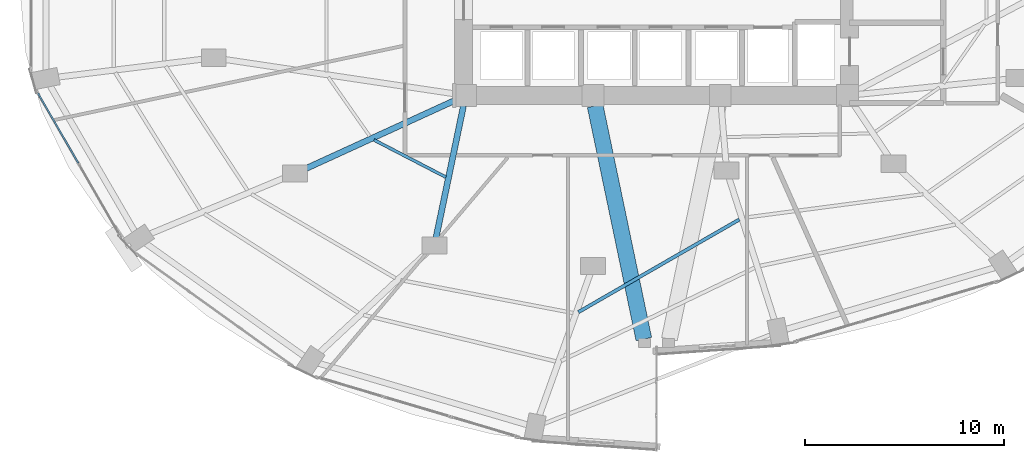
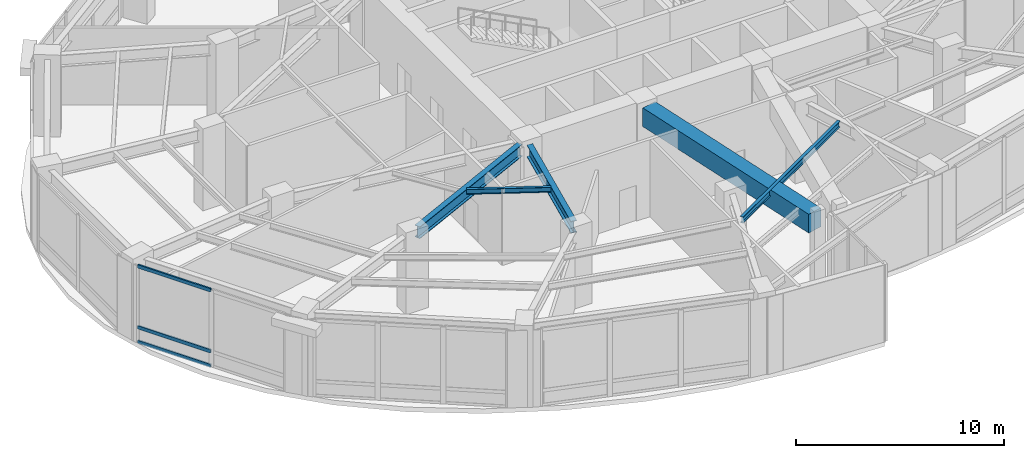
# One storey, part 5 of 24: 5 beams, 3 members, 1 element without a shape of its own.
"""IFC4 building model written with IfcOpenShell, lengths in metres."""

import ifcopenshell
import ifcopenshell.guid

model = None  # the IFC model being written
_history = None  # IfcOwnerHistory: only IFC2X3 demands one
_inside = {}  # id of a spatial element -> (the spatial element, [elements in it])
_under = {}  # id of a project, library or spatial element -> (it, [spatial elements below it])
_declared = {}  # id of a project -> (the project, [libraries it declares])
_typed = {}  # id of a type object -> (the type object, [elements of that type])
_made_of = {}  # id of a material, layer set ... -> (it, [elements and type objects made of it])


def new_model(schema):
    """Start an empty IFC model of exactly this schema.

    Asked for "IFC4X3", IfcOpenShell would pick the latest addendum, in which some entities
    have other attributes; the version numbers below select the first issue.
    IFC2X3 requires an IfcOwnerHistory on every rooted entity: one is made here for all.
    """
    global model, _history
    if schema == "IFC4X3":
        model = ifcopenshell.file(schema_version=(4, 3, 0, 0))
    else:
        model = ifcopenshell.file(schema=schema)
    _inside.clear()
    _under.clear()
    _declared.clear()
    _typed.clear()
    _made_of.clear()
    _history = None
    if model.schema == "IFC2X3":
        org = make("IfcOrganization", Name="unknown")
        user = make(
            "IfcPersonAndOrganization",
            ThePerson=make("IfcPerson", FamilyName="unknown"),
            TheOrganization=org,
        )
        app = make(
            "IfcApplication",
            ApplicationDeveloper=org,
            Version="unknown",
            ApplicationFullName="unknown",
            ApplicationIdentifier="unknown",
        )
        _history = make(
            "IfcOwnerHistory",
            OwningUser=user,
            OwningApplication=app,
            ChangeAction="ADDED",
            CreationDate=0,
        )
    return model


def make(cls, **values):
    """One entity of the class cls with the attributes given. An attribute that is None is left unset."""
    return model.create_entity(
        cls, **{name: value for name, value in values.items() if value is not None}
    )


def rooted(cls, **values):
    """An entity with a GlobalId (a new one), such as an element, a storey or a relation."""
    return make(cls, GlobalId=ifcopenshell.guid.new(), OwnerHistory=_history, **values)


def si_unit(unit_type, name, prefix=None):
    """IfcSIUnit, for example si_unit("LENGTHUNIT", "METRE", prefix="MILLI")."""
    return make("IfcSIUnit", UnitType=unit_type, Prefix=prefix, Name=name)


def assignment(units):
    """IfcUnitAssignment: the units of a project."""
    return None if units is None else make("IfcUnitAssignment", Units=units)


def point(xyz):
    """IfcCartesianPoint."""
    return None if xyz is None else make("IfcCartesianPoint", Coordinates=xyz)


def direction(xyz):
    """IfcDirection."""
    return None if xyz is None else make("IfcDirection", DirectionRatios=xyz)


def frame(location, z_axis=None, x_axis=None):
    """IfcAxis2Placement3D, a coordinate frame: its origin and axes. An axis left out is left unset."""
    return make(
        "IfcAxis2Placement3D",
        Location=point(location),
        Axis=direction(z_axis),
        RefDirection=direction(x_axis),
    )


def frame_2d(location, x_axis=None):
    """IfcAxis2Placement2D, a coordinate frame in the plane: its origin and x axis."""
    return make(
        "IfcAxis2Placement2D", Location=point(location), RefDirection=direction(x_axis)
    )


def origin():
    """The frame at (0, 0, 0) with its axes left unset."""
    return frame((0.0, 0.0, 0.0))


def origin_2d():
    """The frame at (0, 0) in the plane with its x axis left unset."""
    return frame_2d((0.0, 0.0))


def place(relative_to, where):
    """IfcLocalPlacement: puts the frame where relative to a parent placement (None: the world)."""
    return make(
        "IfcLocalPlacement", PlacementRelTo=relative_to, RelativePlacement=where
    )


def context(
    kind, dimensions, precision=None, world=None, true_north=None, identifier=None
):
    """IfcGeometricRepresentationContext, for example the 3D "Model" context."""
    return make(
        "IfcGeometricRepresentationContext",
        ContextIdentifier=identifier,
        ContextType=kind,
        CoordinateSpaceDimension=dimensions,
        Precision=precision,
        WorldCoordinateSystem=world,
        TrueNorth=true_north,
    )


def subcontext(parent, identifier, kind, view, scale=None):
    """IfcGeometricRepresentationSubContext, for example "Body" below "Model"."""
    return make(
        "IfcGeometricRepresentationSubContext",
        ContextIdentifier=identifier,
        ContextType=kind,
        ParentContext=parent,
        TargetScale=scale,
        TargetView=view,
    )


def project(units=None, contexts=None):
    """IfcProject with its units and contexts."""
    return rooted(
        "IfcProject",
        Name="project",
        RepresentationContexts=contexts,
        UnitsInContext=assignment(units),
    )


def spatial(cls, under=None, at=None, **own):
    """A site, building, storey or space (cls), placed at a placement, below another one or the project."""
    s = rooted(cls, ObjectPlacement=at, **own)
    if under is not None:
        _under.setdefault(under.id(), (under, []))[1].append(s)
    return s


def profile(cls, at=None, kind="AREA", **sizes):
    """A parametric profile (cls). Its sizes go by their IFC names, for example OverallWidth=200.0."""
    return make(cls, ProfileType=kind, Position=at, **sizes)


def rectangle(**sizes):
    """IfcRectangleProfileDef."""
    return profile("IfcRectangleProfileDef", **sizes)


def hollow_rectangle(**sizes):
    """IfcRectangleHollowProfileDef."""
    return profile("IfcRectangleHollowProfileDef", **sizes)


def i_section(**sizes):
    """IfcIShapeProfileDef."""
    return profile("IfcIShapeProfileDef", **sizes)


def extrude(swept, where, along, depth):
    """IfcExtrudedAreaSolid: the profile swept, set in the frame where, extruded along a direction by depth."""
    return make(
        "IfcExtrudedAreaSolid",
        SweptArea=swept,
        Position=where,
        ExtrudedDirection=direction(along),
        Depth=depth,
    )


def shape(context_of_items, identifier, shape_type, items):
    """IfcShapeRepresentation: the items that make up one representation, for example the "Body"."""
    return make(
        "IfcShapeRepresentation",
        ContextOfItems=context_of_items,
        RepresentationIdentifier=identifier,
        RepresentationType=shape_type,
        Items=items,
    )


def material(Name=None, Category=None):
    """IfcMaterial."""
    return make("IfcMaterial", Name=Name, Category=Category)


def layer(
    of_material, thickness, ventilated=None, Name=None, Category=None, Priority=None
):
    """IfcMaterialLayer: one layer of a wall or slab, of a material (None: an air gap)."""
    return make(
        "IfcMaterialLayer",
        Material=of_material,
        LayerThickness=thickness,
        IsVentilated=ventilated,
        Name=Name,
        Category=Category,
        Priority=Priority,
    )


def layer_set(layers, Name=None):
    """IfcMaterialLayerSet."""
    return make("IfcMaterialLayerSet", MaterialLayers=layers, LayerSetName=Name)


def material_profile(
    of_material, cross_section, Name=None, Category=None, Priority=None
):
    """IfcMaterialProfile: a cross section and its material."""
    return make(
        "IfcMaterialProfile",
        Name=Name,
        Material=of_material,
        Profile=cross_section,
        Priority=Priority,
        Category=Category,
    )


def profile_set(profiles, Name=None, composite=None):
    """IfcMaterialProfileSet."""
    return make(
        "IfcMaterialProfileSet",
        Name=Name,
        MaterialProfiles=profiles,
        CompositeProfile=composite,
    )


def made_of(thing, what):
    """Note that an element or type object is made of a material, layer set ...; save() writes the relation."""
    if what is not None:
        _made_of.setdefault(what.id(), (what, []))[1].append(thing)
    return thing


def type_object(cls, material=None, **own):
    """A type object (cls), such as IfcWallType, which elements share."""
    return made_of(rooted(cls, **own), material)


def element(
    cls,
    number,
    at=None,
    inside=None,
    cuts=None,
    type_object=None,
    material=None,
    context=None,
    identifier="Body",
    shape_type=None,
    held_by="IfcProductDefinitionShape",
    body=None,
    shapes=None,
    **own,
):
    """One element of the class cls, such as IfcWall. Its Tag is "e" and its number.

    at: its placement. inside: the storey or other place that contains it. cuts: it is an
    opening in that element (IfcRelVoidsElement). A single representation is given by context,
    identifier, shape_type and body (its items); several are given by shapes. held_by: the class
    of the entity that holds the representations. save() writes the other relations.
    """
    e = rooted(cls, Tag="e%d" % number, ObjectPlacement=at, **own)
    if body is not None:
        shapes = [shape(context, identifier, shape_type, body)]
    if shapes is not None:
        e.Representation = make(held_by, Representations=shapes)
    if inside is not None:
        _inside.setdefault(inside.id(), (inside, []))[1].append(e)
    if cuts is not None:
        rooted(
            "IfcRelVoidsElement", RelatingBuildingElement=cuts, RelatedOpeningElement=e
        )
    if type_object is not None:
        _typed.setdefault(type_object.id(), (type_object, []))[1].append(e)
    return made_of(e, material)


def aggregate(whole, parts):
    """IfcRelAggregates: a whole, such as a stair, and the parts it consists of."""
    return rooted("IfcRelAggregates", RelatingObject=whole, RelatedObjects=parts)


def save(model, path):
    """Write the relations noted so far, then the file.

    IfcRelAggregates (storeys below a building ...), IfcRelContainedInSpatialStructure (elements
    in a storey), IfcRelDefinesByType, IfcRelAssociatesMaterial and IfcRelDeclares: one each for
    every whole, place, type object, material and project.
    """
    for whole, parts in _under.values():
        aggregate(whole, parts)
    for where, things in _inside.values():
        rooted(
            "IfcRelContainedInSpatialStructure",
            RelatedElements=things,
            RelatingStructure=where,
        )
    for kind, things in _typed.values():
        rooted("IfcRelDefinesByType", RelatedObjects=things, RelatingType=kind)
    for what, things in _made_of.values():
        rooted("IfcRelAssociatesMaterial", RelatedObjects=things, RelatingMaterial=what)
    for by, libraries in _declared.values():
        rooted("IfcRelDeclares", RelatingContext=by, RelatedDefinitions=libraries)
    model.write(path)


model = new_model("IFC4")

# Units and contexts
model_context = context("Model", 3, precision=1e-05, world=origin(), true_north=direction((0.0, 1.0)))
body_context = subcontext(model_context, "Body", "Model", "MODEL_VIEW")
ifc_project = project(units=[si_unit("LENGTHUNIT", "METRE"), si_unit("AREAUNIT", "SQUARE_METRE"), si_unit("VOLUMEUNIT", "CUBIC_METRE"), si_unit("PLANEANGLEUNIT", "RADIAN"), si_unit("MASSUNIT", "GRAM", prefix="KILO")], contexts=[model_context])

# Site, building, storey
site_placement = place(None, origin())
site = spatial("IfcSite", under=ifc_project, at=site_placement, CompositionType="ELEMENT")
building_placement = place(site_placement, origin())
building = spatial("IfcBuilding", under=site, at=building_placement, Name="Lazwardi Medical Tower", CompositionType="ELEMENT")
storey_placement = place(building_placement, frame((0.0, 0.0, 6.0)))
storey = spatial("IfcBuildingStorey", under=building, at=storey_placement, Name="L01", CompositionType="ELEMENT", Elevation=6.0)

# Beams
ifc_material_1 = material(Name="Concrete C70/85", Category="concrete")
ifc_material_profile_1 = material_profile(ifc_material_1, rectangle(XDim=0.800048828125, YDim=1.10009765625, at=origin_2d()), Name="RC 800x1100")
ifc_profile_set_1 = profile_set([ifc_material_profile_1], Name="Concrete C70/85")
beam_type_1 = type_object("IfcBeamType", Name="BM-CB-RC1", PredefinedType="LINTEL", material=ifc_profile_set_1)
beam_1_placement = place(storey_placement, frame((32.909423828125, 19.876220703125, 3.969970703125), z_axis=(0.204429747009, -0.978881238219, 0.0), x_axis=(0.978881238219, 0.204429747009, 0.0)))
element("IfcBeam", 1, at=beam_1_placement, inside=storey, type_object=beam_type_1, Name="Core coupling lintel CB-01 PL3 L01", PredefinedType="LINTEL", context=body_context, shape_type="SweptSolid", body=[
    extrude(rectangle(XDim=0.800048828125, YDim=1.10009765625, at=origin_2d()), origin(), (0.0, 0.0, 1.0), 11.9736328125),
])
ifc_material_2 = material(Name="Steel S355", Category="steel")
ifc_material_profile_2 = material_profile(ifc_material_2, i_section(OverallWidth=0.300048828125, OverallDepth=0.699951171875, WebThickness=0.01708984375, FlangeThickness=0.031982421875, at=origin_2d()), Name="HEB 700")
ifc_profile_set_2 = profile_set([ifc_material_profile_2], Name="Steel S355")
beam_type_2 = type_object("IfcBeamType", Name="BM-RG-P1", PredefinedType="BEAM", material=ifc_profile_set_2)
beam_2_placement = place(storey_placement, frame((18.186767578125, 16.642333984375, 4.169921875), z_axis=(0.909345301738, 0.41604221205, 0.0), x_axis=(-0.41604221205, 0.909345301738, 0.0)))
element("IfcBeam", 2, at=beam_2_placement, inside=storey, type_object=beam_type_2, Name="Radial girder RG-01 R14B L01", PredefinedType="BEAM", context=body_context, shape_type="SweptSolid", body=[
    extrude(i_section(OverallWidth=0.300048828125, OverallDepth=0.699951171875, WebThickness=0.01708984375, FlangeThickness=0.031982421875, at=origin_2d()), origin(), (0.0, 0.0, 1.0), 8.4970703125),
])
beam_3_placement = place(storey_placement, frame((24.910400390625, 13.24462890625, 4.169921875), z_axis=(0.203817520402, 0.979008895964, 0.0), x_axis=(-0.979008895964, 0.203817520402, 0.0)))
element("IfcBeam", 3, at=beam_3_placement, inside=storey, type_object=beam_type_2, Name="Radial girder RG-01 R15B L01", PredefinedType="BEAM", context=body_context, shape_type="SweptSolid", body=[
    extrude(i_section(OverallWidth=0.300048828125, OverallDepth=0.699951171875, WebThickness=0.01708984375, FlangeThickness=0.031982421875, at=origin_2d()), origin(), (0.0, 0.0, 1.0), 6.773681640625),
])
ifc_material_profile_3 = material_profile(ifc_material_2, i_section(OverallWidth=0.169921875, OverallDepth=0.360107421875, WebThickness=0.008056640625, FlangeThickness=0.0126953125, at=origin_2d()), Name="IPE 360")
ifc_profile_set_3 = profile_set([ifc_material_profile_3], Name="Steel S355")
beam_type_3 = type_object("IfcBeamType", Name="BM-SJ-02", PredefinedType="JOIST", material=ifc_profile_set_3)
beam_4_placement = place(storey_placement, frame((32.069580078125, 9.51220703125, 4.340087890625), z_axis=(0.866735235498, 0.498768514991, 0.0), x_axis=(-0.498768514991, 0.866735235498, 0.0)))
element("IfcBeam", 4, at=beam_4_placement, inside=storey, type_object=beam_type_3, Name="Secondary joist SJ-02 RO2 B16 L01", PredefinedType="JOIST", context=body_context, shape_type="SweptSolid", body=[
    extrude(i_section(OverallWidth=0.169921875, OverallDepth=0.360107421875, WebThickness=0.008056640625, FlangeThickness=0.0126953125, at=origin_2d()), origin(), (0.0, 0.0, 1.0), 9.33056640625),
])
ifc_material_profile_4 = material_profile(ifc_material_2, i_section(OverallWidth=0.14990234375, OverallDepth=0.300048828125, WebThickness=0.007080078125, FlangeThickness=0.0107421875, at=origin_2d()), Name="IPE 300")
ifc_profile_set_4 = profile_set([ifc_material_profile_4], Name="Steel S355")
beam_type_4 = type_object("IfcBeamType", Name="BM-SJ-03", PredefinedType="JOIST", material=ifc_profile_set_4)
beam_5_placement = place(storey_placement, frame((21.79248046875, 18.16650390625, 4.3701171875), z_axis=(0.887861727128, -0.460110370999, 0.0), x_axis=(0.460110370999, 0.887861727128, 0.0)))
element("IfcBeam", 5, at=beam_5_placement, inside=storey, type_object=beam_type_4, Name="Secondary joist SJ-03 RI1 B14 L01", PredefinedType="JOIST", context=body_context, shape_type="SweptSolid", body=[
    extrude(i_section(OverallWidth=0.14990234375, OverallDepth=0.300048828125, WebThickness=0.007080078125, FlangeThickness=0.0107421875, at=origin_2d()), origin(), (0.0, 0.0, 1.0), 4.066650390625),
])

# Curtain wall, members
ifc_material_3 = material(Name="Anodised bronze aluminium and solar control glazing", Category="aluminium")
ifc_layer = layer(ifc_material_3, 0.219970703125)
ifc_layer_set = layer_set([ifc_layer], Name="Anodised bronze aluminium and solar control glazing")
curtain_wall_type = type_object("IfcCurtainWallType", Name="CW-SYS-01", PredefinedType="NOTDEFINED", material=ifc_layer_set)
curtain_wall_placement = place(storey_placement, origin())
curtain_wall = element("IfcCurtainWall", 6, at=curtain_wall_placement, inside=storey, type_object=curtain_wall_type, Name="L01 Unitised bronze curtain wall CW-01", PredefinedType="NOTDEFINED")
ifc_material_4 = material(Name="Anodised bronze aluminium", Category="aluminium")
ifc_material_profile_5 = material_profile(ifc_material_4, hollow_rectangle(XDim=0.0849609375, YDim=0.199951171875, WallThickness=0.00439453125, at=origin_2d()), Name="ALU-TRANSOM 200x85x4.5")
ifc_profile_set_5 = profile_set([ifc_material_profile_5], Name="Anodised bronze aluminium")
member_type = type_object("IfcMemberType", Name="CW-TRN-02", PredefinedType="USERDEFINED", material=ifc_profile_set_5)
member_1_placement = place(storey_placement, frame((4.906982421875, 20.50927734375, 0.04248046875), z_axis=(0.499741574693, -0.866174554304, 0.0), x_axis=(0.866174554304, 0.499741574693, 0.0)))
member_1 = element("IfcMember", 7, at=member_1_placement, type_object=member_type, Name="CW-01 transom 1.1", ObjectType="TRANSOM", PredefinedType="USERDEFINED", context=body_context, shape_type="SweptSolid", body=[
    extrude(hollow_rectangle(XDim=0.0849609375, YDim=0.199951171875, WallThickness=0.00439453125, at=origin_2d()), origin(), (0.0, 0.0, 1.0), 4.052978515625),
])
member_2_placement = place(storey_placement, frame((4.906982421875, 20.50927734375, 0.89990234375), z_axis=(0.499741574693, -0.866174554304, 0.0), x_axis=(0.866174554304, 0.499741574693, 0.0)))
member_2 = element("IfcMember", 8, at=member_2_placement, type_object=member_type, Name="CW-01 transom 1.2", ObjectType="TRANSOM", PredefinedType="USERDEFINED", context=body_context, shape_type="SweptSolid", body=[
    extrude(hollow_rectangle(XDim=0.0849609375, YDim=0.199951171875, WallThickness=0.00439453125, at=origin_2d()), origin(), (0.0, 0.0, 1.0), 4.052978515625),
])
member_3_placement = place(storey_placement, frame((4.906982421875, 20.50927734375, 4.4775390625), z_axis=(0.499741574693, -0.866174554304, 0.0), x_axis=(0.866174554304, 0.499741574693, 0.0)))
member_3 = element("IfcMember", 9, at=member_3_placement, type_object=member_type, Name="CW-01 transom 1.3", ObjectType="TRANSOM", PredefinedType="USERDEFINED", context=body_context, shape_type="SweptSolid", body=[
    extrude(hollow_rectangle(XDim=0.0849609375, YDim=0.199951171875, WallThickness=0.00439453125, at=origin_2d()), origin(), (0.0, 0.0, 1.0), 4.052978515625),
])
aggregate(curtain_wall, [member_1, member_2, member_3])

save(model, "model.ifc")
